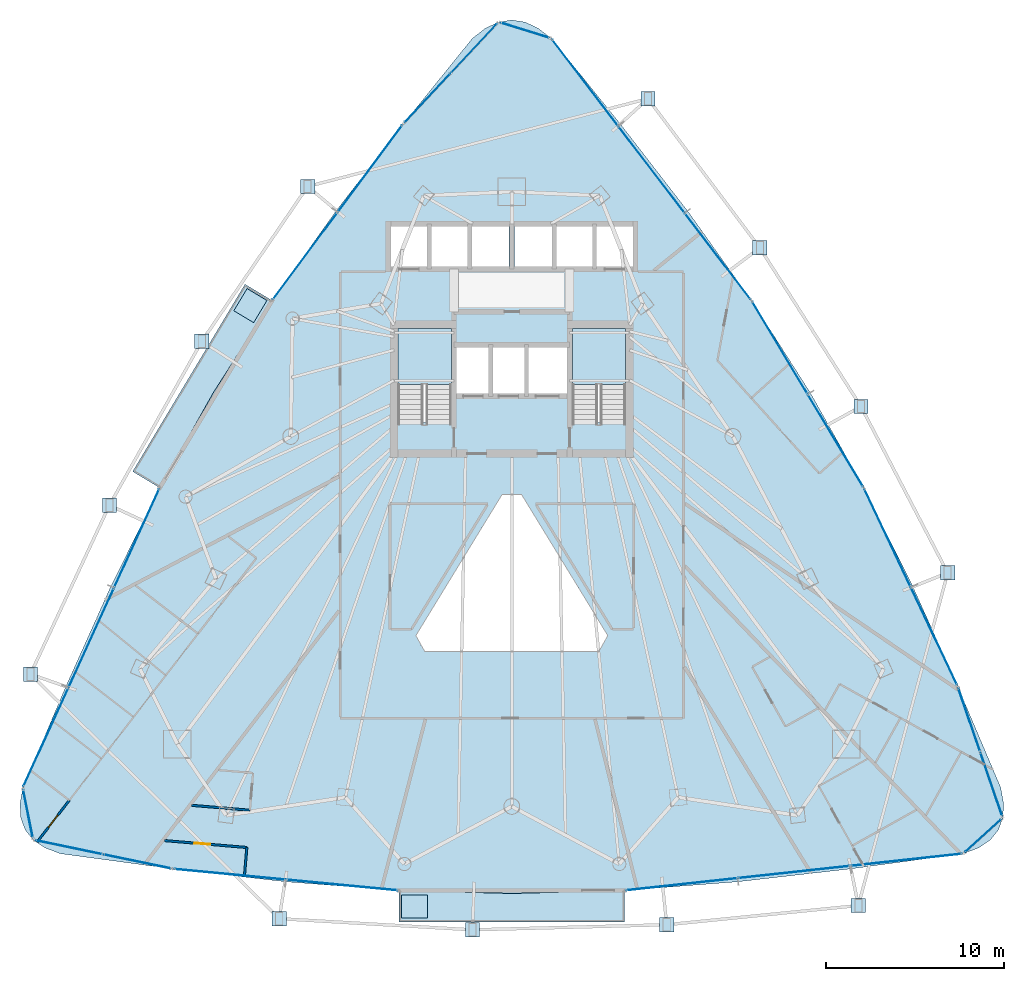
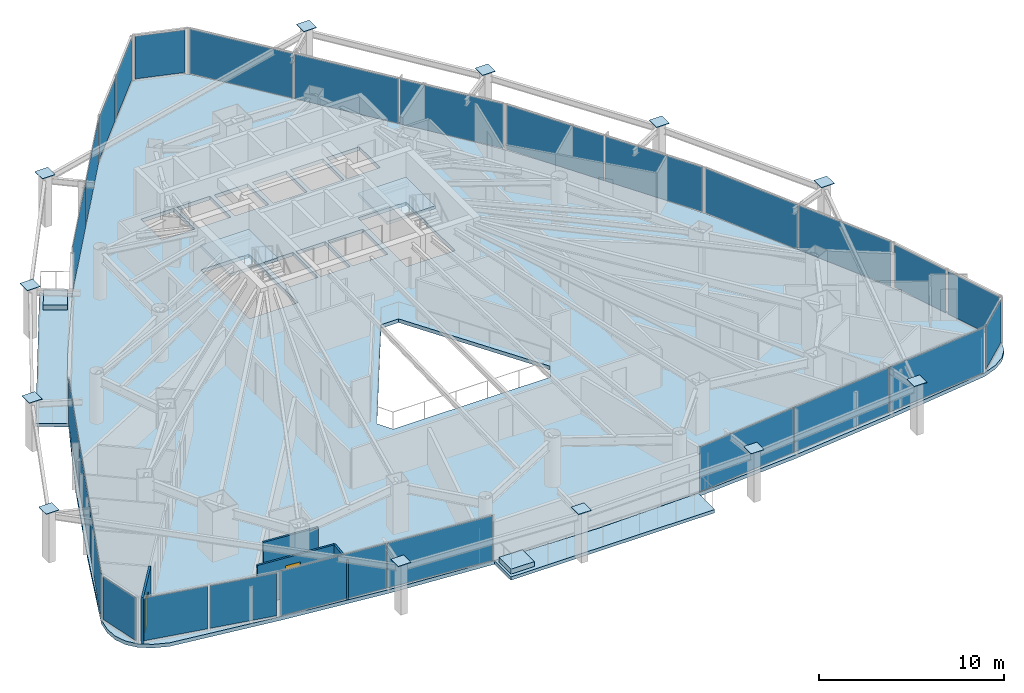
# One storey, part 28 of 34: 38 plates, 7 slabs, 4 walls, 2 doors, 2 openings, 15 elements without a shape of their own.
"""IFC4 building model written with IfcOpenShell, lengths in metres."""

from ifc_helpers import new_model, si_unit, direction, frame, frame_2d, origin, origin_2d, place, context, subcontext, project, spatial, polyline, rectangle, outline, extrude, material, layer, layer_set, type_object, element, fill, aggregate, save


model = new_model("IFC4")

# Units and contexts
model_context = context("Model", 3, precision=1e-05, world=origin(), true_north=direction((0.0, 1.0)))
body_context = subcontext(model_context, "Body", "Model", "MODEL_VIEW")
ifc_project = project(units=[si_unit("LENGTHUNIT", "METRE"), si_unit("AREAUNIT", "SQUARE_METRE"), si_unit("VOLUMEUNIT", "CUBIC_METRE"), si_unit("PLANEANGLEUNIT", "RADIAN"), si_unit("MASSUNIT", "GRAM", prefix="KILO")], contexts=[model_context])

# Site, building, storey
site_placement = place(None, origin())
site = spatial("IfcSite", under=ifc_project, at=site_placement, CompositionType="ELEMENT")
building_placement = place(site_placement, origin())
building = spatial("IfcBuilding", under=site, at=building_placement, Name="Orvanel Arch Residences", CompositionType="ELEMENT")
storey_placement = place(building_placement, frame((0.0, 0.0, 80.75)))
storey = spatial("IfcBuildingStorey", under=building, at=storey_placement, Name="L22", CompositionType="ELEMENT", Elevation=80.75)

# Plates
ifc_material_1 = material(Name="Structural steel AS/NZS 3678 Grade 350", Category="steel")
ifc_layer_1 = layer(ifc_material_1, 0.031982421875)
ifc_layer_set_1 = layer_set([ifc_layer_1], Name="Structural steel AS/NZS 3678 Grade 350")
plate_type_1 = type_object("IfcPlateType", Name="PL-CAP-32", PredefinedType="SHEET", material=ifc_layer_set_1)
for number, where, z_axis, x_axis, name in (
    (1, (21.52490234375, 41.696044921875, 3.2841796875), (0.0, 0.0, 1.0), (1.0, 0.0, 0.0), "L22 hollow member end cap plate"),
    (2, (15.571044921875, 32.991943359375, 3.2841796875), (0.0, 0.0, 1.0), (1.0, 0.0, 0.0), "L22 hollow member end cap plate"),
    (3, (10.3779296875, 23.777099609375, 3.2841796875), (0.0, 0.0, 1.0), (1.0, 0.0, 0.0), "L22 hollow member end cap plate"),
    (4, (5.93896484375, 14.279052734375, 3.2841796875), (0.0, 0.0, 1.0), (1.0, 0.0, 0.0), "L22 hollow member end cap plate"),
    (5, (19.924072265625, 0.533935546875, 3.2841796875), (0.0, 0.0, 1.0), (1.0, 0.0, 0.0), "L22 hollow member end cap plate"),
    (6, (30.79296875, -0.093994140625, 3.2841796875), (0.0, 0.0, 1.0), (1.0, 0.0, 0.0), "L22 hollow member end cap plate"),
    (7, (41.7080078125, 0.193115234375, 3.2841796875), (0.0, 0.0, 1.0), (1.0, 0.0, 0.0), "L22 hollow member end cap plate"),
    (8, (52.48095703125, 1.27099609375, 3.2841796875), (0.0, 0.0, 1.0), (1.0, 0.0, 0.0), "L22 hollow member end cap plate"),
    (9, (57.50390625, 19.97509765625, 3.2841796875), (0.0, 0.0, 1.0), (1.0, 0.0, 0.0), "L22 hollow member end cap plate"),
    (10, (52.6279296875, 29.324951171875, 3.2841796875), (0.0, 0.0, 1.0), (1.0, 0.0, 0.0), "L22 hollow member end cap plate"),
    (11, (46.943115234375, 38.2451171875, 3.2841796875), (0.0, 0.0, 1.0), (1.0, 0.0, 0.0), "L22 hollow member end cap plate"),
    (12, (40.654052734375, 46.632080078125, 3.2841796875), (0.0, 0.0, 1.0), (1.0, 0.0, 0.0), "L22 hollow member end cap plate"),
):
    element("IfcPlate", number, at=place(storey_placement, frame(where, z_axis=z_axis, x_axis=x_axis)), inside=storey, type_object=plate_type_1, Name=name, PredefinedType="SHEET", context=body_context, shape_type="SweptSolid", body=[
        extrude(rectangle(XDim=0.800048828125, YDim=0.800048828125, at=origin_2d()), origin(), (0.0, 0.0, 1.0), 0.031982421875),
    ])

# Curtain wall, plates
ifc_material_2 = material(Name="Bronze-anodised aluminium AA6063-T6", Category="aluminium")
ifc_layer_2 = layer(ifc_material_2, 0.179931640625)
ifc_layer_set_2 = layer_set([ifc_layer_2], Name="Bronze-anodised aluminium AA6063-T6")
curtain_wall_type_1 = type_object("IfcCurtainWallType", Name="CW2-LOW-SYS", PredefinedType="NOTDEFINED", material=ifc_layer_set_2)
curtain_wall_1_placement = place(storey_placement, origin())
curtain_wall_1 = element("IfcCurtainWall", 13, at=curtain_wall_1_placement, inside=storey, type_object=curtain_wall_type_1, Name="L22 CW2-LOW-SYS Unitised Curtain Wall", PredefinedType="NOTDEFINED")
ifc_material_3 = material(Name="Double-glazed solar-control low-E safety glass", Category="glass")
ifc_layer_3 = layer(ifc_material_3, 0.028076171875)
ifc_layer_set_3 = layer_set([ifc_layer_3], Name="Double-glazed solar-control low-E safety glass")
plate_type_2 = type_object("IfcPlateType", Name="PNL-GLZ-28", PredefinedType="CURTAIN_PANEL", material=ifc_layer_set_3)
plate_1_placement = place(storey_placement, frame((25.026611328125, 42.693359375, 0.06005859375), z_axis=(0.0, 0.0, 1.0), x_axis=(-0.596168298343, -0.802859489606, 0.0)))
plate_1 = element("IfcPlate", 14, at=plate_1_placement, type_object=plate_type_2, Name="CW-S2 panel 1.1", PredefinedType="CURTAIN_PANEL", context=body_context, shape_type="SweptSolid", body=[
    extrude(rectangle(XDim=6.044189453125, YDim=0.028076171875, at=origin_2d()), origin(), (0.0, 0.0, 1.0), 2.93994140625),
])
plate_2_placement = place(storey_placement, frame((21.38134765625, 37.78466796875, 0.06005859375), z_axis=(0.0, 0.0, 1.0), x_axis=(-0.596168298343, -0.802859489606, 0.0)))
plate_2 = element("IfcPlate", 15, at=plate_2_placement, type_object=plate_type_2, Name="CW-S2 panel 2.1", PredefinedType="CURTAIN_PANEL", context=body_context, shape_type="SweptSolid", body=[
    extrude(rectangle(XDim=6.044189453125, YDim=0.028076171875, at=origin_2d()), origin(), (0.0, 0.0, 1.0), 2.93994140625),
])
aggregate(curtain_wall_1, [plate_1, plate_2])

curtain_wall_2_placement = place(storey_placement, origin())
curtain_wall_2 = element("IfcCurtainWall", 16, at=curtain_wall_2_placement, inside=storey, type_object=curtain_wall_type_1, Name="L22 CW2-LOW-SYS Unitised Curtain Wall", PredefinedType="NOTDEFINED")
plate_3_placement = place(storey_placement, frame((11.9140625, 21.91796875, 0.06005859375), z_axis=(0.0, 0.0, 1.0), x_axis=(-0.415447967434, -0.909616944848, 0.0)))
plate_3 = element("IfcPlate", 17, at=plate_3_placement, type_object=plate_type_2, Name="CW-S2 panel 1.1", PredefinedType="CURTAIN_PANEL", context=body_context, shape_type="SweptSolid", body=[
    extrude(rectangle(XDim=6.060302734375, YDim=0.028076171875, at=origin_2d()), origin(), (0.0, 0.0, 1.0), 2.93994140625),
])
plate_4_placement = place(storey_placement, frame((9.360107421875, 16.325927734375, 0.06005859375), z_axis=(0.0, 0.0, 1.0), x_axis=(-0.415447967434, -0.909616944848, 0.0)))
plate_4 = element("IfcPlate", 18, at=plate_4_placement, type_object=plate_type_2, Name="CW-S2 panel 2.1", PredefinedType="CURTAIN_PANEL", context=body_context, shape_type="SweptSolid", body=[
    extrude(rectangle(XDim=6.09521484375, YDim=0.028076171875, at=origin_2d()), origin(), (0.0, 0.0, 1.0), 2.93994140625),
])
plate_5_placement = place(storey_placement, frame((6.805908203125, 10.73388671875, 0.06005859375), z_axis=(0.0, 0.0, 1.0), x_axis=(-0.415447967434, -0.909616944848, 0.0)))
plate_5 = element("IfcPlate", 19, at=plate_5_placement, type_object=plate_type_2, Name="CW-S2 panel 3.1", PredefinedType="CURTAIN_PANEL", context=body_context, shape_type="SweptSolid", body=[
    extrude(rectangle(XDim=6.060302734375, YDim=0.028076171875, at=origin_2d()), origin(), (0.0, 0.0, 1.0), 2.93994140625),
])
aggregate(curtain_wall_2, [plate_3, plate_4, plate_5])

curtain_wall_3_placement = place(storey_placement, origin())
curtain_wall_3 = element("IfcCurtainWall", 20, at=curtain_wall_3_placement, inside=storey, type_object=curtain_wall_type_1, Name="L22 CW2-LOW-SYS Unitised Curtain Wall", PredefinedType="NOTDEFINED")
plate_6_placement = place(storey_placement, frame((17.158203125, 3.0244140625, 0.06005859375), z_axis=(0.0, 0.0, 1.0), x_axis=(0.995474944009, -0.095024396079, 0.0)))
plate_6 = element("IfcPlate", 21, at=plate_6_placement, type_object=plate_type_2, Name="CW-S2 panel 1.1", PredefinedType="CURTAIN_PANEL", context=body_context, shape_type="SweptSolid", body=[
    extrude(rectangle(XDim=6.251220703125, YDim=0.028076171875, at=origin_2d()), origin(), (0.0, 0.0, 1.0), 2.93994140625),
])
plate_7_placement = place(storey_placement, frame((23.450927734375, 2.423583984375, 0.06005859375), z_axis=(0.0, 0.0, 1.0), x_axis=(0.995474944009, -0.095024396079, 0.0)))
plate_7 = element("IfcPlate", 22, at=plate_7_placement, type_object=plate_type_2, Name="CW-S2 panel 2.1", PredefinedType="CURTAIN_PANEL", context=body_context, shape_type="SweptSolid", body=[
    extrude(rectangle(XDim=6.251220703125, YDim=0.028076171875, at=origin_2d()), origin(), (0.0, 0.0, 1.0), 2.93994140625),
])
aggregate(curtain_wall_3, [plate_6, plate_7])

curtain_wall_4_placement = place(storey_placement, origin())
curtain_wall_4 = element("IfcCurtainWall", 23, at=curtain_wall_4_placement, inside=storey, type_object=curtain_wall_type_1, Name="L22 CW2-LOW-SYS Unitised Curtain Wall", PredefinedType="NOTDEFINED")
plate_8_placement = place(storey_placement, frame((42.551513671875, 2.46630859375, 0.06005859375), z_axis=(0.0, 0.0, 1.0), x_axis=(0.994141897131, 0.10808278479, 0.0)))
plate_8 = element("IfcPlate", 24, at=plate_8_placement, type_object=plate_type_2, Name="CW-S2 panel 1.1", PredefinedType="CURTAIN_PANEL", context=body_context, shape_type="SweptSolid", body=[
    extrude(rectangle(XDim=6.2666015625, YDim=0.028076171875, at=origin_2d()), origin(), (0.0, 0.0, 1.0), 2.93994140625),
])
plate_9_placement = place(storey_placement, frame((48.868408203125, 3.153076171875, 0.06005859375), z_axis=(0.0, 0.0, 1.0), x_axis=(0.994141897131, 0.10808278479, 0.0)))
plate_9 = element("IfcPlate", 25, at=plate_9_placement, type_object=plate_type_2, Name="CW-S2 panel 2.1", PredefinedType="CURTAIN_PANEL", context=body_context, shape_type="SweptSolid", body=[
    extrude(rectangle(XDim=6.3017578125, YDim=0.028076171875, at=origin_2d()), origin(), (0.0, 0.0, 1.0), 2.93994140625),
])
plate_10_placement = place(storey_placement, frame((55.185546875, 3.83984375, 0.06005859375), z_axis=(0.0, 0.0, 1.0), x_axis=(0.994141897131, 0.10808278479, 0.0)))
plate_10 = element("IfcPlate", 26, at=plate_10_placement, type_object=plate_type_2, Name="CW-S2 panel 3.1", PredefinedType="CURTAIN_PANEL", context=body_context, shape_type="SweptSolid", body=[
    extrude(rectangle(XDim=6.2666015625, YDim=0.028076171875, at=origin_2d()), origin(), (0.0, 0.0, 1.0), 2.93994140625),
])
aggregate(curtain_wall_4, [plate_8, plate_9, plate_10])

curtain_wall_5_placement = place(storey_placement, origin())
curtain_wall_5 = element("IfcCurtainWall", 27, at=curtain_wall_5_placement, inside=storey, type_object=curtain_wall_type_1, Name="L22 CW2-LOW-SYS Unitised Curtain Wall", PredefinedType="NOTDEFINED")
plate_11_placement = place(storey_placement, frame((56.73583984375, 16.415283203125, 0.06005859375), z_axis=(0.0, 0.0, 1.0), x_axis=(-0.427593472426, 0.903971140213, 0.0)))
plate_11 = element("IfcPlate", 28, at=plate_11_placement, type_object=plate_type_2, Name="CW-S2 panel 1.1", PredefinedType="CURTAIN_PANEL", context=body_context, shape_type="SweptSolid", body=[
    extrude(rectangle(XDim=6.04443359375, YDim=0.028076171875, at=origin_2d()), origin(), (0.0, 0.0, 1.0), 2.93994140625),
])
plate_12_placement = place(storey_placement, frame((54.121337890625, 21.942626953125, 0.06005859375), z_axis=(0.0, 0.0, 1.0), x_axis=(-0.427593472426, 0.903971140213, 0.0)))
plate_12 = element("IfcPlate", 29, at=plate_12_placement, type_object=plate_type_2, Name="CW-S2 panel 2.1", PredefinedType="CURTAIN_PANEL", context=body_context, shape_type="SweptSolid", body=[
    extrude(rectangle(XDim=6.04443359375, YDim=0.028076171875, at=origin_2d()), origin(), (0.0, 0.0, 1.0), 2.93994140625),
])
aggregate(curtain_wall_5, [plate_11, plate_12])

curtain_wall_6_placement = place(storey_placement, origin())
curtain_wall_6 = element("IfcCurtainWall", 30, at=curtain_wall_6_placement, inside=storey, type_object=curtain_wall_type_1, Name="L22 CW2-LOW-SYS Unitised Curtain Wall", PredefinedType="NOTDEFINED")
plate_13_placement = place(storey_placement, frame((51.197021484375, 27.412109375, 0.06005859375), z_axis=(0.0, 0.0, 1.0), x_axis=(-0.514399631471, 0.85755059276, 0.0)))
plate_13 = element("IfcPlate", 31, at=plate_13_placement, type_object=plate_type_2, Name="CW-S2 panel 1.1", PredefinedType="CURTAIN_PANEL", context=body_context, shape_type="SweptSolid", body=[
    extrude(rectangle(XDim=6.0146484375, YDim=0.028076171875, at=origin_2d()), origin(), (0.0, 0.0, 1.0), 2.93994140625),
])
plate_14_placement = place(storey_placement, frame((48.06689453125, 32.6298828125, 0.06005859375), z_axis=(0.0, 0.0, 1.0), x_axis=(-0.514399631471, 0.85755059276, 0.0)))
plate_14 = element("IfcPlate", 32, at=plate_14_placement, type_object=plate_type_2, Name="CW-S2 panel 2.1", PredefinedType="CURTAIN_PANEL", context=body_context, shape_type="SweptSolid", body=[
    extrude(rectangle(XDim=6.0146484375, YDim=0.028076171875, at=origin_2d()), origin(), (0.0, 0.0, 1.0), 2.93994140625),
])
aggregate(curtain_wall_6, [plate_13, plate_14])

curtain_wall_7_placement = place(storey_placement, origin())
curtain_wall_7 = element("IfcCurtainWall", 33, at=curtain_wall_7_placement, inside=storey, type_object=curtain_wall_type_1, Name="L22 CW2-LOW-SYS Unitised Curtain Wall", PredefinedType="NOTDEFINED")
plate_15_placement = place(storey_placement, frame((44.58056640625, 37.765625, 0.06005859375), z_axis=(0.0, 0.0, 1.0), x_axis=(-0.606950241122, 0.794739834664, 0.0)))
plate_15 = element("IfcPlate", 34, at=plate_15_placement, type_object=plate_type_2, Name="CW-S2 panel 1.1", PredefinedType="CURTAIN_PANEL", context=body_context, shape_type="SweptSolid", body=[
    extrude(rectangle(XDim=6.059814453125, YDim=0.028076171875, at=origin_2d()), origin(), (0.0, 0.0, 1.0), 2.93994140625),
])
plate_16_placement = place(storey_placement, frame((40.849609375, 42.65087890625, 0.06005859375), z_axis=(0.0, 0.0, 1.0), x_axis=(-0.606950241122, 0.794739834664, 0.0)))
plate_16 = element("IfcPlate", 35, at=plate_16_placement, type_object=plate_type_2, Name="CW-S2 panel 2.1", PredefinedType="CURTAIN_PANEL", context=body_context, shape_type="SweptSolid", body=[
    extrude(rectangle(XDim=6.0947265625, YDim=0.028076171875, at=origin_2d()), origin(), (0.0, 0.0, 1.0), 2.93994140625),
])
plate_17_placement = place(storey_placement, frame((37.118408203125, 47.536376953125, 0.06005859375), z_axis=(0.0, 0.0, 1.0), x_axis=(-0.606950241122, 0.794739834664, 0.0)))
plate_17 = element("IfcPlate", 36, at=plate_17_placement, type_object=plate_type_2, Name="CW-S2 panel 3.1", PredefinedType="CURTAIN_PANEL", context=body_context, shape_type="SweptSolid", body=[
    extrude(rectangle(XDim=6.059814453125, YDim=0.028076171875, at=origin_2d()), origin(), (0.0, 0.0, 1.0), 2.93994140625),
])
aggregate(curtain_wall_7, [plate_15, plate_16, plate_17])

# Curtain wall, plate
ifc_layer_4 = layer(ifc_material_2, 0.18994140625)
ifc_layer_set_4 = layer_set([ifc_layer_4], Name="Bronze-anodised aluminium AA6063-T6")
curtain_wall_type_2 = type_object("IfcCurtainWallType", Name="CW5-CRN-SYS", PredefinedType="NOTDEFINED", material=ifc_layer_set_4)
curtain_wall_8_placement = place(storey_placement, origin())
curtain_wall_8 = element("IfcCurtainWall", 37, at=curtain_wall_8_placement, inside=storey, type_object=curtain_wall_type_2, Name="L22 CW5-CRN-SYS Unitised Curtain Wall", PredefinedType="NOTDEFINED")
ifc_layer_5 = layer(ifc_material_3, 0.031982421875)
ifc_layer_set_5 = layer_set([ifc_layer_5], Name="Double-glazed solar-control low-E safety glass")
plate_type_3 = type_object("IfcPlateType", Name="PNL-GLZ-32", PredefinedType="CURTAIN_PANEL", material=ifc_layer_set_5)
plate_18_placement = place(storey_placement, frame((33.741455078125, 50.4775390625, 0.1298828125), z_axis=(0.0, 0.0, 1.0), x_axis=(-0.954879378397, 0.296993893392, 0.0)))
plate_18 = element("IfcPlate", 38, at=plate_18_placement, type_object=plate_type_3, Name="CW-S5 panel 1.1", PredefinedType="CURTAIN_PANEL", context=body_context, shape_type="SweptSolid", body=[
    extrude(rectangle(XDim=2.767333984375, YDim=0.031982421875, at=origin_2d()), origin(), (0.0, 0.0, 1.0), 2.800048828125),
])
aggregate(curtain_wall_8, [plate_18])

# Curtain wall, plates
curtain_wall_9_placement = place(storey_placement, origin())
curtain_wall_9 = element("IfcCurtainWall", 39, at=curtain_wall_9_placement, inside=storey, type_object=curtain_wall_type_2, Name="L22 CW5-CRN-SYS Unitised Curtain Wall", PredefinedType="NOTDEFINED")
plate_19_placement = place(storey_placement, frame((30.88134765625, 49.46728515625, 0.1298828125), z_axis=(0.0, 0.0, 1.0), x_axis=(-0.683146141191, -0.730281692072, 0.0)))
plate_19 = element("IfcPlate", 40, at=plate_19_placement, type_object=plate_type_3, Name="CW-S5 panel 1.1", PredefinedType="CURTAIN_PANEL", context=body_context, shape_type="SweptSolid", body=[
    extrude(rectangle(XDim=3.689208984375, YDim=0.031982421875, at=origin_2d()), origin(), (0.0, 0.0, 1.0), 2.800048828125),
])
plate_20_placement = place(storey_placement, frame((28.258544921875, 46.66357421875, 0.1298828125), z_axis=(0.0, 0.0, 1.0), x_axis=(-0.683146141191, -0.730281692072, 0.0)))
plate_20 = element("IfcPlate", 41, at=plate_20_placement, type_object=plate_type_3, Name="CW-S5 panel 2.1", PredefinedType="CURTAIN_PANEL", context=body_context, shape_type="SweptSolid", body=[
    extrude(rectangle(XDim=3.689208984375, YDim=0.031982421875, at=origin_2d()), origin(), (0.0, 0.0, 1.0), 2.800048828125),
])
aggregate(curtain_wall_9, [plate_19, plate_20])

# Curtain wall, plate
curtain_wall_10_placement = place(storey_placement, origin())
curtain_wall_10 = element("IfcCurtainWall", 42, at=curtain_wall_10_placement, inside=storey, type_object=curtain_wall_type_2, Name="L22 CW5-CRN-SYS Unitised Curtain Wall", PredefinedType="NOTDEFINED")
plate_21_placement = place(storey_placement, frame((5.802490234375, 6.428955078125, 0.1298828125), z_axis=(0.0, 0.0, 1.0), x_axis=(0.19552958949, -0.980697802401, 0.0)))
plate_21 = element("IfcPlate", 43, at=plate_21_placement, type_object=plate_type_3, Name="CW-S5 panel 1.1", PredefinedType="CURTAIN_PANEL", context=body_context, shape_type="SweptSolid", body=[
    extrude(rectangle(XDim=2.65087890625, YDim=0.031982421875, at=origin_2d()), origin(), (0.0, 0.0, 1.0), 2.800048828125),
])
aggregate(curtain_wall_10, [plate_21])

# Curtain wall, plates
curtain_wall_11_placement = place(storey_placement, origin())
curtain_wall_11 = element("IfcCurtainWall", 44, at=curtain_wall_11_placement, inside=storey, type_object=curtain_wall_type_2, Name="L22 CW5-CRN-SYS Unitised Curtain Wall", PredefinedType="NOTDEFINED")
plate_22_placement = place(storey_placement, frame((8.107177734375, 4.54443359375, 0.1298828125), z_axis=(0.0, 0.0, 1.0), x_axis=(0.97911973689, -0.203284384132, 0.0)))
plate_22 = element("IfcPlate", 45, at=plate_22_placement, type_object=plate_type_3, Name="CW-S5 panel 1.1", PredefinedType="CURTAIN_PANEL", context=body_context, shape_type="SweptSolid", body=[
    extrude(rectangle(XDim=3.769287109375, YDim=0.031982421875, at=origin_2d()), origin(), (0.0, 0.0, 1.0), 2.800048828125),
])
plate_23_placement = place(storey_placement, frame((11.94482421875, 3.74755859375, 0.1298828125), z_axis=(0.0, 0.0, 1.0), x_axis=(0.97911973689, -0.203284384132, 0.0)))
plate_23 = element("IfcPlate", 46, at=plate_23_placement, type_object=plate_type_3, Name="CW-S5 panel 2.1", PredefinedType="CURTAIN_PANEL", context=body_context, shape_type="SweptSolid", body=[
    extrude(rectangle(XDim=3.769287109375, YDim=0.031982421875, at=origin_2d()), origin(), (0.0, 0.0, 1.0), 2.800048828125),
])
aggregate(curtain_wall_11, [plate_22, plate_23])

# Curtain wall, plate
curtain_wall_12_placement = place(storey_placement, origin())
curtain_wall_12 = element("IfcCurtainWall", 47, at=curtain_wall_12_placement, inside=storey, type_object=curtain_wall_type_2, Name="L22 CW5-CRN-SYS Unitised Curtain Wall", PredefinedType="NOTDEFINED")
plate_24_placement = place(storey_placement, frame((59.49755859375, 5.193603515625, 0.1298828125), z_axis=(0.0, 0.0, 1.0), x_axis=(0.740169951357, 0.6724198414, 0.0)))
plate_24 = element("IfcPlate", 48, at=plate_24_placement, type_object=plate_type_3, Name="CW-S5 panel 1.1", PredefinedType="CURTAIN_PANEL", context=body_context, shape_type="SweptSolid", body=[
    extrude(rectangle(XDim=2.652099609375, YDim=0.031982421875, at=origin_2d()), origin(), (0.0, 0.0, 1.0), 2.800048828125),
])
aggregate(curtain_wall_12, [plate_24])

# Curtain wall, plates
curtain_wall_13_placement = place(storey_placement, origin())
curtain_wall_13 = element("IfcCurtainWall", 49, at=curtain_wall_13_placement, inside=storey, type_object=curtain_wall_type_2, Name="L22 CW5-CRN-SYS Unitised Curtain Wall", PredefinedType="NOTDEFINED")
plate_25_placement = place(storey_placement, frame((59.955322265625, 8.0947265625, 0.1298828125), z_axis=(0.0, 0.0, 1.0), x_axis=(-0.324422828844, 0.945912167236, 0.0)))
plate_25 = element("IfcPlate", 50, at=plate_25_placement, type_object=plate_type_3, Name="CW-S5 panel 1.1", PredefinedType="CURTAIN_PANEL", context=body_context, shape_type="SweptSolid", body=[
    extrude(rectangle(XDim=3.66796875, YDim=0.031982421875, at=origin_2d()), origin(), (0.0, 0.0, 1.0), 2.800048828125),
])
plate_26_placement = place(storey_placement, frame((58.716552734375, 11.706298828125, 0.1298828125), z_axis=(0.0, 0.0, 1.0), x_axis=(-0.324422828844, 0.945912167236, 0.0)))
plate_26 = element("IfcPlate", 51, at=plate_26_placement, type_object=plate_type_3, Name="CW-S5 panel 2.1", PredefinedType="CURTAIN_PANEL", context=body_context, shape_type="SweptSolid", body=[
    extrude(rectangle(XDim=3.66796875, YDim=0.031982421875, at=origin_2d()), origin(), (0.0, 0.0, 1.0), 2.800048828125),
])
aggregate(curtain_wall_13, [plate_25, plate_26])

# Slabs
ifc_material_4 = material(Name="Concrete N40 (40 MPa)", Category="concrete")
ifc_layer_6 = layer(ifc_material_4, 0.215087890625)
ifc_layer_set_6 = layer_set([ifc_layer_6], Name="Concrete N40 (40 MPa)")
slab_type_1 = type_object("IfcSlabType", Name="SLB-BAL-215", PredefinedType="FLOOR", material=ifc_layer_set_6)
slab_1_placement = place(storey_placement, frame((0.0, 0.0, -0.215087890625)))
element("IfcSlab", 52, at=slab_1_placement, inside=storey, type_object=slab_type_1, Name="L22 Cantilevered Balcony Slab Face 1", PredefinedType="FLOOR", context=body_context, shape_type="SweptSolid", body=[
    extrude(outline(polyline([(18.0, 36.200927734375), (11.68310546875, 25.6708984375), (13.2099609375, 24.756103515625), (16.221923828125, 30.10791015625), (19.52587890625, 35.285888671875), (18.0, 36.200927734375)])), origin(), (0.0, 0.0, 1.0), 0.215087890625),
])
slab_2_placement = place(storey_placement, frame((0.0, 0.0, -0.215087890625)))
element("IfcSlab", 53, at=slab_2_placement, inside=storey, type_object=slab_type_1, Name="L22 Cantilevered Balcony Slab Face 2", PredefinedType="FLOOR", context=body_context, shape_type="SweptSolid", body=[
    extrude(outline(polyline([(26.652099609375, 0.337890625), (39.346923828125, 0.337890625), (39.346923828125, 2.117919921875), (33.0, 1.947998046875), (26.652099609375, 2.117919921875), (26.652099609375, 0.337890625)])), origin(), (0.0, 0.0, 1.0), 0.215087890625),
])

# Stair, slab
ifc_material_5 = material(Name="Precast concrete N50 (50 MPa)", Category="concrete")
stair_type = type_object("IfcStairType", Name="STR-DOG-184", PredefinedType="USERDEFINED", material=ifc_material_5)
stair_1_placement = place(storey_placement, origin())
stair_1 = element("IfcStair", 54, at=stair_1_placement, inside=storey, type_object=stair_type, Name="L22 Fire-Isolated Core Exit Stair 1", ObjectType="TWO_RETURN_STAIR", PredefinedType="USERDEFINED")
ifc_layer_7 = layer(ifc_material_4, 0.199951171875)
ifc_layer_set_7 = layer_set([ifc_layer_7], Name="Concrete N40 (40 MPa)")
slab_type_2 = type_object("IfcSlabType", Name="SLB-LND-200", PredefinedType="LANDING", material=ifc_layer_set_7)
slab_3_placement = place(storey_placement, frame((0.0, 0.0, 1.449951171875)))
slab_3 = element("IfcSlab", 55, at=slab_3_placement, type_object=slab_type_2, Name="ST-1 landing 1", PredefinedType="LANDING", context=body_context, shape_type="SweptSolid", body=[
    extrude(outline(polyline([(29.60009765625, 30.56005859375), (29.60009765625, 33.699951171875), (26.60009765625, 33.699951171875), (26.60009765625, 30.56005859375), (29.60009765625, 30.56005859375)])), origin(), (0.0, 0.0, 1.0), 0.199951171875),
])
aggregate(stair_1, [slab_3])

stair_2_placement = place(storey_placement, origin())
stair_2 = element("IfcStair", 56, at=stair_2_placement, inside=storey, type_object=stair_type, Name="L22 Fire-Isolated Core Exit Stair 2", ObjectType="TWO_RETURN_STAIR", PredefinedType="USERDEFINED")
slab_4_placement = place(storey_placement, frame((0.0, 0.0, 1.449951171875)))
slab_4 = element("IfcSlab", 57, at=slab_4_placement, type_object=slab_type_2, Name="ST-2 landing 1", PredefinedType="LANDING", context=body_context, shape_type="SweptSolid", body=[
    extrude(outline(polyline([(39.39990234375, 30.56005859375), (39.39990234375, 33.699951171875), (36.39990234375, 33.699951171875), (36.39990234375, 30.56005859375), (39.39990234375, 30.56005859375)])), origin(), (0.0, 0.0, 1.0), 0.199951171875),
])
aggregate(stair_2, [slab_4])

# Slabs
ifc_material_6 = material(Name="Structural architectural precast concrete N40 (40 MPa) planter", Category="concrete")
ifc_layer_8 = layer(ifc_material_6, 0.320068359375)
ifc_layer_set_8 = layer_set([ifc_layer_8], Name="Structural architectural precast concrete N40 (40 MPa) planter")
slab_type_3 = type_object("IfcSlabType", Name="SLB-PLN-320", PredefinedType="USERDEFINED", material=ifc_layer_set_8)
slab_5_placement = place(storey_placement, origin())
element("IfcSlab", 58, at=slab_5_placement, inside=storey, type_object=slab_type_3, Name="L22 Balcony TREE PLANTER Face 1", ObjectType="PLANTER", PredefinedType="USERDEFINED", context=body_context, shape_type="SweptSolid", body=[
    extrude(outline(polyline([(18.1201171875, 35.9541015625), (17.3740234375, 34.7109375), (18.489013671875, 34.0419921875), (19.235107421875, 35.285888671875), (18.1201171875, 35.9541015625)])), origin(), (0.0, 0.0, 1.0), 0.320068359375),
])
slab_6_placement = place(storey_placement, origin())
element("IfcSlab", 59, at=slab_6_placement, inside=storey, type_object=slab_type_3, Name="L22 Balcony TREE PLANTER Face 2", ObjectType="PLANTER", PredefinedType="USERDEFINED", context=body_context, shape_type="SweptSolid", body=[
    extrude(outline(polyline([(26.802001953125, 0.568115234375), (28.2529296875, 0.568115234375), (28.2529296875, 1.867919921875), (26.802001953125, 1.867919921875), (26.802001953125, 0.568115234375)])), origin(), (0.0, 0.0, 1.0), 0.320068359375),
])
ifc_layer_9 = layer(ifc_material_4, 0.239990234375)
ifc_layer_set_9 = layer_set([ifc_layer_9], Name="Concrete N40 (40 MPa)")
slab_type_4 = type_object("IfcSlabType", Name="SLB-TYP-240", PredefinedType="FLOOR", material=ifc_layer_set_9)
slab_7_placement = place(storey_placement, frame((0.0, 0.0, -0.239990234375)))
element("IfcSlab", 60, at=slab_7_placement, inside=storey, type_object=slab_type_4, Name="L22 Tower Floor Slab", PredefinedType="FLOOR", context=body_context, shape_type="SweptSolid", body=[
    extrude(outline(polyline([(35.22509765625, 50.01611328125), (34.48291015625, 50.593017578125), (33.741943359375, 50.93896484375), (33.0, 51.054931640625), (32.258056640625, 50.93896484375), (31.51708984375, 50.593017578125), (30.77490234375, 50.01611328125), (26.882080078125, 45.19189453125), (23.10107421875, 40.301025390625), (19.52587890625, 35.285888671875), (16.221923828125, 30.10791015625), (13.2099609375, 24.756103515625), (10.468017578125, 19.240966796875), (7.93310546875, 13.60205078125), (5.510009765625, 7.89599609375), (5.35107421875, 6.989990234375), (5.39501953125, 6.198974609375), (5.64306640625, 5.52294921875), (6.094970703125, 4.9619140625), (6.7509765625, 4.51708984375), (7.610107421875, 4.18798828125), (13.95703125, 3.330078125), (20.304931640625, 2.60400390625), (26.652099609375, 2.117919921875), (33.0, 1.947998046875), (39.346923828125, 2.117919921875), (45.695068359375, 2.60400390625), (52.0419921875, 3.330078125), (58.389892578125, 4.18798828125), (59.2490234375, 4.51708984375), (59.905029296875, 4.9619140625), (60.35693359375, 5.52294921875), (60.60498046875, 6.198974609375), (60.64990234375, 6.989990234375), (60.489990234375, 7.89599609375), (58.06689453125, 13.60205078125), (55.531982421875, 19.240966796875), (52.7900390625, 24.756103515625), (49.778076171875, 30.10791015625), (46.47412109375, 35.285888671875), (42.89892578125, 40.301025390625), (39.117919921875, 45.19189453125), (35.22509765625, 50.01611328125)]), holes=[polyline([(26.60009765625, 28.429931640625), (26.60009765625, 33.699951171875), (29.60009765625, 33.699951171875), (29.60009765625, 28.429931640625), (26.60009765625, 28.429931640625)]), polyline([(36.39990234375, 28.429931640625), (36.39990234375, 33.699951171875), (39.39990234375, 33.699951171875), (39.39990234375, 28.429931640625), (36.39990234375, 28.429931640625)]), polyline([(29.89990234375, 32.64990234375), (31.75, 32.64990234375), (31.75, 29.949951171875), (29.89990234375, 29.949951171875), (29.89990234375, 32.64990234375)]), polyline([(31.89990234375, 32.64990234375), (33.75, 32.64990234375), (33.75, 29.949951171875), (31.89990234375, 29.949951171875), (31.89990234375, 32.64990234375)]), polyline([(33.89990234375, 32.64990234375), (36.10009765625, 32.64990234375), (36.10009765625, 29.949951171875), (33.89990234375, 29.949951171875), (33.89990234375, 32.64990234375)]), polyline([(26.199951171875, 39.449951171875), (28.25, 39.449951171875), (28.25, 37.199951171875), (26.199951171875, 37.199951171875), (26.199951171875, 39.449951171875)]), polyline([(37.75, 39.449951171875), (39.800048828125, 39.449951171875), (39.800048828125, 37.199951171875), (37.75, 37.199951171875), (37.75, 39.449951171875)]), polyline([(28.449951171875, 39.449951171875), (30.5, 39.449951171875), (30.5, 37.199951171875), (28.449951171875, 37.199951171875), (28.449951171875, 39.449951171875)]), polyline([(35.5, 39.449951171875), (37.550048828125, 39.449951171875), (37.550048828125, 37.199951171875), (35.5, 37.199951171875), (35.5, 39.449951171875)]), polyline([(30.75, 39.449951171875), (32.85009765625, 39.449951171875), (32.85009765625, 37.199951171875), (30.75, 37.199951171875), (30.75, 39.449951171875)]), polyline([(33.14990234375, 39.449951171875), (35.25, 39.449951171875), (35.25, 37.199951171875), (33.14990234375, 37.199951171875), (33.14990234375, 39.449951171875)]), polyline([(38.39599609375, 16.447998046875), (37.89501953125, 15.552978515625), (28.10498046875, 15.552978515625), (27.60400390625, 16.447998046875), (32.452880859375, 24.3798828125), (33.547119140625, 24.3798828125), (38.39599609375, 16.447998046875)])]), origin(), (0.0, 0.0, 1.0), 0.239990234375),
])

# Wall, opening, door
ifc_material_7 = material(Name="Acoustic plasterboard lined twin-stud partition", Category="gypsum")
ifc_layer_10 = layer(ifc_material_7, 0.1201171875)
ifc_layer_set_10 = layer_set([ifc_layer_10], Name="Acoustic plasterboard lined twin-stud partition")
wall_type = type_object("IfcWallType", Name="W-WET-120", PredefinedType="PARTITIONING", material=ifc_layer_set_10)
wall_1_placement = place(storey_placement, frame((6.306884765625, 4.8359375, 0.0), z_axis=(0.0, 0.0, 1.0), x_axis=(0.611279012709, 0.791415168304, 0.0)))
wall_1 = element("IfcWall", 61, at=wall_1_placement, inside=storey, type_object=wall_type, Name="L22 Flat B Internal Partition", PredefinedType="PARTITIONING", context=body_context, shape_type="SweptSolid", body=[
    extrude(rectangle(XDim=2.969482421875, YDim=0.1201171875, at=frame_2d((1.48486328125, 0.0))), origin(), (0.0, 0.0, 1.0), 3.06005859375),
])
opening_1_placement = place(wall_1_placement, frame((1.044921875, 0.0, 0.0)))
opening_1 = element("IfcOpeningElement", 62, at=opening_1_placement, cuts=wall_1, Name="Opening DI-088", PredefinedType="OPENING", context=body_context, shape_type="SweptSolid", body=[
    extrude(rectangle(XDim=0.8798828125, YDim=2.10009765625, at=frame_2d((0.43994140625, 1.050048828125))), frame((0.0, 0.070068359375, 0.0), z_axis=(0.0, -1.0, 0.0), x_axis=(1.0, 0.0, 0.0)), (0.0, 0.0, 1.0), 0.14013671875),
])
ifc_material_8 = material(Name="Solid-core European oak veneer fire door leaf", Category="wood")
door_type = type_object("IfcDoorType", Name="DR-INT-880", OperationType="NOTDEFINED", PredefinedType="DOOR", material=ifc_material_8)
door_1_placement = place(opening_1_placement, origin())
door_1 = element("IfcDoor", 63, at=door_1_placement, inside=storey, type_object=door_type, Name="DR-L22-B-KIT L22 Flat B Kitchen Door", OperationType="SINGLE_SWING_LEFT", OverallHeight=2.10009765625, OverallWidth=0.8798828125, PredefinedType="DOOR", context=body_context, shape_type="SweptSolid", body=[
    extrude(rectangle(XDim=0.8798828125, YDim=2.10009765625, at=frame_2d((0.43994140625, 1.050048828125))), frame((0.0, 0.02490234375, 0.0), z_axis=(0.0, -1.0, 0.0), x_axis=(1.0, 0.0, 0.0)), (0.0, 0.0, 1.0), 0.050048828125),
])
fill(opening_1, door_1)

# Walls
wall_2_placement = place(storey_placement, frame((15.0009765625, 6.904052734375, 0.0), z_axis=(0.0, 0.0, 1.0), x_axis=(0.996518569178, -0.083371105803, 0.0)))
element("IfcWall", 64, at=wall_2_placement, inside=storey, type_object=wall_type, Name="L22 Studio D Bathroom Partition", PredefinedType="PARTITIONING", context=body_context, shape_type="SweptSolid", body=[
    extrude(rectangle(XDim=3.28857421875, YDim=0.1201171875, at=frame_2d((1.644287109375, 0.0))), origin(), (0.0, 0.0, 1.0), 2.4130859375),
])
wall_3_placement = place(storey_placement, frame((17.965087890625, 2.886962890625, 0.0), z_axis=(0.0, 0.0, 1.0), x_axis=(0.083412008543, 0.996515146313, 0.0)))
element("IfcWall", 65, at=wall_3_placement, inside=storey, type_object=wall_type, Name="L22 Studio D Internal Partition", PredefinedType="PARTITIONING", context=body_context, shape_type="SweptSolid", body=[
    extrude(rectangle(XDim=1.65380859375, YDim=0.1201171875, at=frame_2d((0.826904296875, 0.0))), origin(), (0.0, 0.0, 1.0), 2.618896484375),
])

# Wall, opening, door
wall_4_placement = place(storey_placement, frame((18.10302734375, 4.534912109375, 0.0), z_axis=(0.0, 0.0, 1.0), x_axis=(-0.99650936218, 0.083481082211, 0.0)))
wall_4 = element("IfcWall", 66, at=wall_4_placement, inside=storey, type_object=wall_type, Name="L22 Studio D Internal Partition", PredefinedType="PARTITIONING", context=body_context, shape_type="SweptSolid", body=[
    extrude(rectangle(XDim=4.63818359375, YDim=0.1201171875, at=frame_2d((2.319091796875, 0.0))), origin(), (0.0, 0.0, 1.0), 2.618896484375),
])
opening_2_placement = place(wall_4_placement, frame((2.073974609375, 0.0, 0.0)))
opening_2 = element("IfcOpeningElement", 67, at=opening_2_placement, cuts=wall_4, Name="Opening DI-088", PredefinedType="OPENING", context=body_context, shape_type="SweptSolid", body=[
    extrude(rectangle(XDim=0.8798828125, YDim=2.10009765625, at=frame_2d((0.43994140625, 1.050048828125))), frame((0.0, 0.070068359375, 0.0), z_axis=(0.0, -1.0, 0.0), x_axis=(1.0, 0.0, 0.0)), (0.0, 0.0, 1.0), 0.14013671875),
])
door_2_placement = place(opening_2_placement, origin())
door_2 = element("IfcDoor", 68, at=door_2_placement, inside=storey, type_object=door_type, Name="DR-L22-D-KIT L22 Studio D Kitchenette Door", OperationType="SINGLE_SWING_LEFT", OverallHeight=2.10009765625, OverallWidth=0.8798828125, PredefinedType="DOOR", context=body_context, shape_type="SweptSolid", body=[
    extrude(rectangle(XDim=0.8798828125, YDim=2.10009765625, at=frame_2d((0.43994140625, 1.050048828125))), frame((0.0, 0.02490234375, 0.0), z_axis=(0.0, -1.0, 0.0), x_axis=(1.0, 0.0, 0.0)), (0.0, 0.0, 1.0), 0.050048828125),
])
fill(opening_2, door_2)

save(model, "model.ifc")
